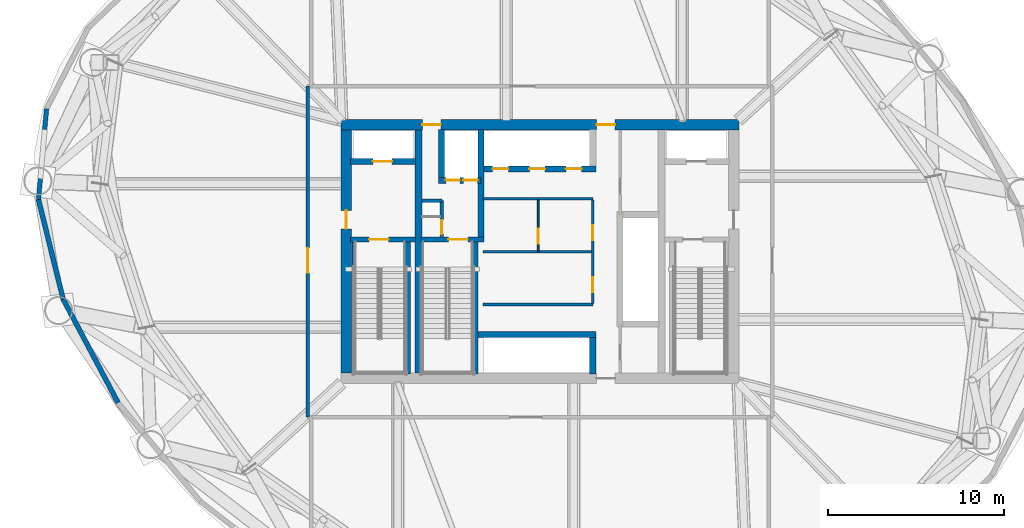
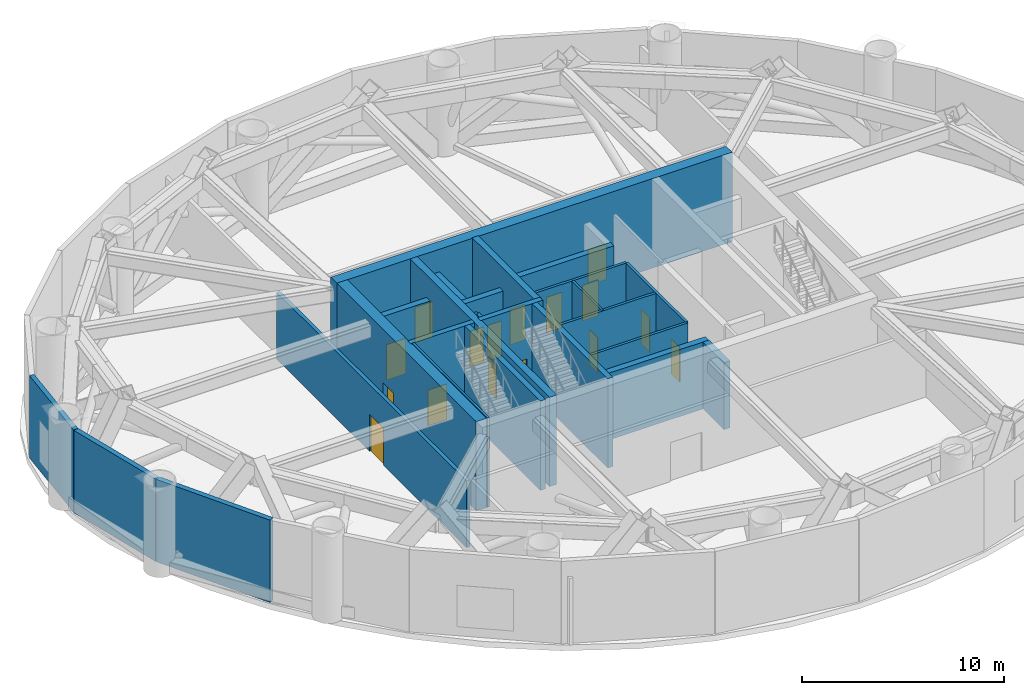
# One storey, part 7 of 13: 26 walls, 16 doors, 16 openings.
"""IFC4 building model written with IfcOpenShell, lengths in metres."""

from ifc_helpers import new_model, si_unit, direction, frame, frame_2d, origin, place, context, subcontext, project, spatial, rectangle, extrude, material, layer, layer_set, type_object, element, fill, save


model = new_model("IFC4")

# Units and contexts
model_context = context("Model", 3, precision=1e-05, world=origin(), true_north=direction((0.0, 1.0)))
body_context = subcontext(model_context, "Body", "Model", "MODEL_VIEW")
ifc_project = project(units=[si_unit("LENGTHUNIT", "METRE"), si_unit("AREAUNIT", "SQUARE_METRE"), si_unit("VOLUMEUNIT", "CUBIC_METRE"), si_unit("PLANEANGLEUNIT", "RADIAN"), si_unit("MASSUNIT", "GRAM", prefix="KILO")], contexts=[model_context])

# Site, building, storey
site_placement = place(None, origin())
site = spatial("IfcSite", under=ifc_project, at=site_placement, CompositionType="ELEMENT")
building_placement = place(site_placement, origin())
building = spatial("IfcBuilding", under=site, at=building_placement, Name="Bramvorn Convention Spire", CompositionType="ELEMENT")
storey_placement = place(building_placement, frame((0.0, 0.0, 97.39990234375)))
storey = spatial("IfcBuildingStorey", under=building, at=storey_placement, Name="L23", CompositionType="ELEMENT", Elevation=97.39990234375)

# Wall, openings, doors
ifc_material_1 = material(Name="Concrete C60/70", Category="concrete")
ifc_layer_1 = layer(ifc_material_1, 0.60009765625)
ifc_layer_set_1 = layer_set([ifc_layer_1], Name="Concrete C60/70 - WL-CORE-600")
wall_type_1 = type_object("IfcWallType", Name="WL-CORE-600", PredefinedType="SHEAR", material=ifc_layer_set_1)
wall_1_placement = place(storey_placement, frame((26.699951171875, 33.199951171875, 0.0), z_axis=(0.0, 0.0, 1.0), x_axis=(1.0, 0.0, 0.0)))
wall_1 = element("IfcWall", 1, at=wall_1_placement, inside=storey, type_object=wall_type_1, Name="L23 North RC core shear wall", PredefinedType="SHEAR", context=body_context, shape_type="SweptSolid", body=[
    extrude(rectangle(XDim=22.60009765625, YDim=0.60009765625, at=frame_2d((11.300048828125, 0.0))), origin(), (0.0, 0.0, 1.0), 5.400146484375),
])
opening_1_placement = place(wall_1_placement, frame((4.6201171875, 0.0, 0.0)))
opening_1 = element("IfcOpeningElement", 2, at=opening_1_placement, cuts=wall_1, Name="Opening DL-105", PredefinedType="OPENING", context=body_context, shape_type="SweptSolid", body=[
    extrude(rectangle(XDim=1.050048828125, YDim=2.14990234375, at=frame_2d((0.52490234375, 1.074951171875))), frame((0.0, 0.31005859375, 0.0), z_axis=(0.0, -1.0, 0.0), x_axis=(1.0, 0.0, 0.0)), (0.0, 0.0, 1.0), 0.6201171875),
])
opening_2_placement = place(wall_1_placement, frame((14.52001953125, 0.0, 0.0)))
opening_2 = element("IfcOpeningElement", 3, at=opening_2_placement, cuts=wall_1, Name="Opening DL-105", PredefinedType="OPENING", context=body_context, shape_type="SweptSolid", body=[
    extrude(rectangle(XDim=1.050048828125, YDim=2.14990234375, at=frame_2d((0.52490234375, 1.074951171875))), frame((0.0, 0.31005859375, 0.0), z_axis=(0.0, -1.0, 0.0), x_axis=(1.0, 0.0, 0.0)), (0.0, 0.0, 1.0), 0.6201171875),
])
ifc_material_2 = material(Name="Smoke-Sealed Fire Lobby Timber-Core Door", Category="wood")
door_type_1 = type_object("IfcDoorType", Name="DR-LOBBY-1050", OperationType="NOTDEFINED", PredefinedType="DOOR", material=ifc_material_2)
door_1_placement = place(opening_1_placement, origin())
door_1 = element("IfcDoor", 4, at=door_1_placement, inside=storey, type_object=door_type_1, Name="L23 Service & Stair ST3 Lobby north corridor door", OperationType="SINGLE_SWING_LEFT", OverallHeight=2.14990234375, OverallWidth=1.050048828125, PredefinedType="DOOR", context=body_context, shape_type="SweptSolid", body=[
    extrude(rectangle(XDim=1.050048828125, YDim=2.14990234375, at=frame_2d((0.52490234375, 1.074951171875))), frame((0.0, 0.02490234375, 0.0), z_axis=(0.0, -1.0, 0.0), x_axis=(1.0, 0.0, 0.0)), (0.0, 0.0, 1.0), 0.050048828125),
])
fill(opening_1, door_1)
door_2_placement = place(opening_2_placement, origin())
door_2 = element("IfcDoor", 5, at=door_2_placement, inside=storey, type_object=door_type_1, Name="L23 North Lift Lobby fire door", OperationType="SINGLE_SWING_LEFT", OverallHeight=2.14990234375, OverallWidth=1.050048828125, PredefinedType="DOOR", context=body_context, shape_type="SweptSolid", body=[
    extrude(rectangle(XDim=1.050048828125, YDim=2.14990234375, at=frame_2d((0.52490234375, 1.074951171875))), frame((0.0, 0.02490234375, 0.0), z_axis=(0.0, -1.0, 0.0), x_axis=(1.0, 0.0, 0.0)), (0.0, 0.0, 1.0), 0.050048828125),
])
fill(opening_2, door_2)

# Wall, opening, door
wall_2_placement = place(storey_placement, frame((27.0, 19.10009765625, 0.0), z_axis=(0.0, 0.0, 1.0), x_axis=(0.0, 1.0, 0.0)))
wall_2 = element("IfcWall", 6, at=wall_2_placement, inside=storey, type_object=wall_type_1, Name="L23 West RC core shear wall", PredefinedType="SHEAR", context=body_context, shape_type="SweptSolid", body=[
    extrude(rectangle(XDim=13.7998046875, YDim=0.60009765625, at=frame_2d((6.89990234375, 0.0))), origin(), (0.0, 0.0, 1.0), 5.400146484375),
])
opening_3_placement = place(wall_2_placement, frame((8.199951171875, 0.0, 0.0)))
opening_3 = element("IfcOpeningElement", 7, at=opening_3_placement, cuts=wall_2, Name="Opening DL-105", PredefinedType="OPENING", context=body_context, shape_type="SweptSolid", body=[
    extrude(rectangle(XDim=1.050048828125, YDim=2.14990234375, at=frame_2d((0.52490234375, 1.074951171875))), frame((0.0, 0.31005859375, 0.0), z_axis=(0.0, -1.0, 0.0), x_axis=(1.0, 0.0, 0.0)), (0.0, 0.0, 1.0), 0.6201171875),
])
door_3_placement = place(opening_3_placement, origin())
door_3 = element("IfcDoor", 8, at=door_3_placement, inside=storey, type_object=door_type_1, Name="L23 West Firefighting Lobby corridor door", OperationType="SINGLE_SWING_RIGHT", OverallHeight=2.14990234375, OverallWidth=1.050048828125, PredefinedType="DOOR", context=body_context, shape_type="SweptSolid", body=[
    extrude(rectangle(XDim=1.050048828125, YDim=2.14990234375, at=frame_2d((0.52490234375, 1.074951171875))), frame((0.0, 0.02490234375, 0.0), z_axis=(0.0, -1.0, 0.0), x_axis=(1.0, 0.0, 0.0)), (0.0, 0.0, 1.0), 0.050048828125),
])
fill(opening_3, door_3)

ifc_material_3 = material(Name="Concrete C50/60", Category="concrete")
ifc_layer_2 = layer(ifc_material_3, 0.35009765625)
ifc_layer_set_2 = layer_set([ifc_layer_2], Name="Concrete C50/60 - WL-CORE-INT-350")
wall_type_2 = type_object("IfcWallType", Name="WL-CORE-INT-350", PredefinedType="SHEAR", material=ifc_layer_set_2)
wall_3_placement = place(storey_placement, frame((27.25, 31.1201171875, 0.0), z_axis=(0.0, 0.0, 1.0), x_axis=(1.0, 0.0, 0.0)))
wall_3 = element("IfcWall", 9, at=wall_3_placement, inside=storey, type_object=wall_type_2, Name="L23 FE1 shaft front wall", PredefinedType="SHEAR", context=body_context, shape_type="SweptSolid", body=[
    extrude(rectangle(XDim=3.669921875, YDim=0.35009765625, at=frame_2d((1.8349609375, 0.0))), origin(), (0.0, 0.0, 1.0), 4.0400390625),
])
opening_4_placement = place(wall_3_placement, frame((1.25, 0.0, 0.0)))
opening_4 = element("IfcOpeningElement", 10, at=opening_4_placement, cuts=wall_3, Name="Opening LD-110", PredefinedType="OPENING", context=body_context, shape_type="SweptSolid", body=[
    extrude(rectangle(XDim=1.10009765625, YDim=2.14990234375, at=frame_2d((0.550048828125, 1.074951171875))), frame((0.0, 0.18505859375, 0.0), z_axis=(0.0, -1.0, 0.0), x_axis=(1.0, 0.0, 0.0)), (0.0, 0.0, 1.0), 0.3701171875),
])
ifc_material_4 = material(Name="Firefighting & Service Lift Sliding Landing Door", Category="steel")
door_type_2 = type_object("IfcDoorType", Name="DR-LIFT-LD-1100", OperationType="NOTDEFINED", PredefinedType="DOOR", material=ifc_material_4)
door_4_placement = place(opening_4_placement, origin())
door_4 = element("IfcDoor", 11, at=door_4_placement, inside=storey, type_object=door_type_2, Name="L23 Lift FE1 Sliding Landing Door", OperationType="SLIDING_TO_LEFT", OverallHeight=2.14990234375, OverallWidth=1.10009765625, PredefinedType="DOOR", context=body_context, shape_type="SweptSolid", body=[
    extrude(rectangle(XDim=1.10009765625, YDim=2.14990234375, at=frame_2d((0.550048828125, 1.074951171875))), frame((0.0, 0.02490234375, 0.0), z_axis=(0.0, -1.0, 0.0), x_axis=(1.0, 0.0, 0.0)), (0.0, 0.0, 1.0), 0.050048828125),
])
fill(opening_4, door_4)

# Wall
wall_4_placement = place(storey_placement, frame((34.639892578125, 26.68994140625, 0.0), z_axis=(0.0, 0.0, 1.0), x_axis=(0.0, 1.0, 0.0)))
element("IfcWall", 12, at=wall_4_placement, inside=storey, type_object=wall_type_2, Name="L23 SV east core shaft wall", PredefinedType="SHEAR", context=body_context, shape_type="SweptSolid", body=[
    extrude(rectangle(XDim=6.260009765625, YDim=0.35009765625, at=frame_2d((3.1298828125, 0.0))), origin(), (0.0, 0.0, 1.0), 5.400146484375),
])

# Wall, openings, doors
wall_5_placement = place(storey_placement, frame((32.22998046875, 30.050048828125, 0.0), z_axis=(0.0, 0.0, 1.0), x_axis=(1.0, 0.0, 0.0)))
wall_5 = element("IfcWall", 13, at=wall_5_placement, inside=storey, type_object=wall_type_2, Name="L23 SV1/SV2 shaft front wall", PredefinedType="SHEAR", context=body_context, shape_type="SweptSolid", body=[
    extrude(rectangle(XDim=2.409912109375, YDim=0.35009765625, at=frame_2d((1.205078125, 0.0))), origin(), (0.0, 0.0, 1.0), 4.0400390625),
])
opening_5_placement = place(wall_5_placement, frame((0.419921875, 0.0, 0.0)))
opening_5 = element("IfcOpeningElement", 14, at=opening_5_placement, cuts=wall_5, Name="Opening LD-080", PredefinedType="OPENING", context=body_context, shape_type="SweptSolid", body=[
    extrude(rectangle(XDim=0.800048828125, YDim=2.14990234375, at=frame_2d((0.39990234375, 1.074951171875))), frame((0.0, 0.18505859375, 0.0), z_axis=(0.0, -1.0, 0.0), x_axis=(1.0, 0.0, 0.0)), (0.0, 0.0, 1.0), 0.3701171875),
])
opening_6_placement = place(wall_5_placement, frame((1.419921875, 0.0, 0.0)))
opening_6 = element("IfcOpeningElement", 15, at=opening_6_placement, cuts=wall_5, Name="Opening LD-080", PredefinedType="OPENING", context=body_context, shape_type="SweptSolid", body=[
    extrude(rectangle(XDim=0.800048828125, YDim=2.14990234375, at=frame_2d((0.39990234375, 1.074951171875))), frame((0.0, 0.18505859375, 0.0), z_axis=(0.0, -1.0, 0.0), x_axis=(1.0, 0.0, 0.0)), (0.0, 0.0, 1.0), 0.3701171875),
])
ifc_material_5 = material(Name="Service Lift Bi-Parting Landing Door", Category="steel")
door_type_3 = type_object("IfcDoorType", Name="DR-LIFT-LD-800", OperationType="NOTDEFINED", PredefinedType="DOOR", material=ifc_material_5)
door_5_placement = place(opening_5_placement, origin())
door_5 = element("IfcDoor", 16, at=door_5_placement, inside=storey, type_object=door_type_3, Name="L23 Lift SV1 Sliding Landing Door", OperationType="SLIDING_TO_LEFT", OverallHeight=2.14990234375, OverallWidth=0.800048828125, PredefinedType="DOOR", context=body_context, shape_type="SweptSolid", body=[
    extrude(rectangle(XDim=0.800048828125, YDim=2.14990234375, at=frame_2d((0.39990234375, 1.074951171875))), frame((0.0, 0.02490234375, 0.0), z_axis=(0.0, -1.0, 0.0), x_axis=(1.0, 0.0, 0.0)), (0.0, 0.0, 1.0), 0.050048828125),
])
fill(opening_5, door_5)
door_6_placement = place(opening_6_placement, origin())
door_6 = element("IfcDoor", 17, at=door_6_placement, inside=storey, type_object=door_type_3, Name="L23 Lift SV2 Sliding Landing Door", OperationType="SLIDING_TO_LEFT", OverallHeight=2.14990234375, OverallWidth=0.800048828125, PredefinedType="DOOR", context=body_context, shape_type="SweptSolid", body=[
    extrude(rectangle(XDim=0.800048828125, YDim=2.14990234375, at=frame_2d((0.39990234375, 1.074951171875))), frame((0.0, 0.02490234375, 0.0), z_axis=(0.0, -1.0, 0.0), x_axis=(1.0, 0.0, 0.0)), (0.0, 0.0, 1.0), 0.050048828125),
])
fill(opening_6, door_6)

# Wall
wall_6_placement = place(storey_placement, frame((32.39990234375, 30.219970703125, 0.0), z_axis=(0.0, 0.0, 1.0), x_axis=(0.0, 1.0, 0.0)))
element("IfcWall", 18, at=wall_6_placement, inside=storey, type_object=wall_type_2, Name="L23 SV1 west hoistway wall", PredefinedType="SHEAR", context=body_context, shape_type="SweptSolid", body=[
    extrude(rectangle(XDim=2.72998046875, YDim=0.35009765625, at=frame_2d((1.364990234375, 0.0))), origin(), (0.0, 0.0, 1.0), 4.0400390625),
])

# Wall, openings, doors
wall_7_placement = place(storey_placement, frame((34.81005859375, 30.699951171875, 0.0), z_axis=(0.0, 0.0, 1.0), x_axis=(1.0, 0.0, 0.0)))
wall_7 = element("IfcWall", 19, at=wall_7_placement, inside=storey, type_object=wall_type_2, Name="L23 Low-rise bank south landing wall", PredefinedType="SHEAR", context=body_context, shape_type="SweptSolid", body=[
    extrude(rectangle(XDim=6.35986328125, YDim=0.35009765625, at=frame_2d((3.179931640625, 0.0))), origin(), (0.0, 0.0, 1.0), 4.0400390625),
])
opening_7_placement = place(wall_7_placement, frame((0.5, 0.0, 0.0)))
opening_7 = element("IfcOpeningElement", 20, at=opening_7_placement, cuts=wall_7, Name="Opening LD-090", PredefinedType="OPENING", context=body_context, shape_type="SweptSolid", body=[
    extrude(rectangle(XDim=0.89990234375, YDim=2.14990234375, at=frame_2d((0.449951171875, 1.074951171875))), frame((0.0, 0.18505859375, 0.0), z_axis=(0.0, -1.0, 0.0), x_axis=(1.0, 0.0, 0.0)), (0.0, 0.0, 1.0), 0.3701171875),
])
opening_8_placement = place(wall_7_placement, frame((2.580078125, 0.0, 0.0)))
opening_8 = element("IfcOpeningElement", 21, at=opening_8_placement, cuts=wall_7, Name="Opening LD-090", PredefinedType="OPENING", context=body_context, shape_type="SweptSolid", body=[
    extrude(rectangle(XDim=0.89990234375, YDim=2.14990234375, at=frame_2d((0.449951171875, 1.074951171875))), frame((0.0, 0.18505859375, 0.0), z_axis=(0.0, -1.0, 0.0), x_axis=(1.0, 0.0, 0.0)), (0.0, 0.0, 1.0), 0.3701171875),
])
opening_9_placement = place(wall_7_placement, frame((4.659912109375, 0.0, 0.0)))
opening_9 = element("IfcOpeningElement", 22, at=opening_9_placement, cuts=wall_7, Name="Opening LD-090", PredefinedType="OPENING", context=body_context, shape_type="SweptSolid", body=[
    extrude(rectangle(XDim=0.89990234375, YDim=2.14990234375, at=frame_2d((0.449951171875, 1.074951171875))), frame((0.0, 0.18505859375, 0.0), z_axis=(0.0, -1.0, 0.0), x_axis=(1.0, 0.0, 0.0)), (0.0, 0.0, 1.0), 0.3701171875),
])
ifc_material_6 = material(Name="Bi-Parting Fire-Rated Lift Landing Door", Category="steel")
door_type_4 = type_object("IfcDoorType", Name="DR-LIFT-LD-900", OperationType="NOTDEFINED", PredefinedType="DOOR", material=ifc_material_6)
door_7_placement = place(opening_7_placement, origin())
door_7 = element("IfcDoor", 23, at=door_7_placement, inside=storey, type_object=door_type_4, Name="L23 Lift PL1 Sliding Landing Door", OperationType="SLIDING_TO_LEFT", OverallHeight=2.14990234375, OverallWidth=0.89990234375, PredefinedType="DOOR", context=body_context, shape_type="SweptSolid", body=[
    extrude(rectangle(XDim=0.89990234375, YDim=2.14990234375, at=frame_2d((0.449951171875, 1.074951171875))), frame((0.0, 0.02490234375, 0.0), z_axis=(0.0, -1.0, 0.0), x_axis=(1.0, 0.0, 0.0)), (0.0, 0.0, 1.0), 0.050048828125),
])
fill(opening_7, door_7)
door_8_placement = place(opening_8_placement, origin())
door_8 = element("IfcDoor", 24, at=door_8_placement, inside=storey, type_object=door_type_4, Name="L23 Lift PL2 Sliding Landing Door", OperationType="SLIDING_TO_LEFT", OverallHeight=2.14990234375, OverallWidth=0.89990234375, PredefinedType="DOOR", context=body_context, shape_type="SweptSolid", body=[
    extrude(rectangle(XDim=0.89990234375, YDim=2.14990234375, at=frame_2d((0.449951171875, 1.074951171875))), frame((0.0, 0.02490234375, 0.0), z_axis=(0.0, -1.0, 0.0), x_axis=(1.0, 0.0, 0.0)), (0.0, 0.0, 1.0), 0.050048828125),
])
fill(opening_8, door_8)
door_9_placement = place(opening_9_placement, origin())
door_9 = element("IfcDoor", 25, at=door_9_placement, inside=storey, type_object=door_type_4, Name="L23 Lift PL3 Sliding Landing Door", OperationType="SLIDING_TO_LEFT", OverallHeight=2.14990234375, OverallWidth=0.89990234375, PredefinedType="DOOR", context=body_context, shape_type="SweptSolid", body=[
    extrude(rectangle(XDim=0.89990234375, YDim=2.14990234375, at=frame_2d((0.449951171875, 1.074951171875))), frame((0.0, 0.02490234375, 0.0), z_axis=(0.0, -1.0, 0.0), x_axis=(1.0, 0.0, 0.0)), (0.0, 0.0, 1.0), 0.050048828125),
])
fill(opening_9, door_9)

# Walls
wall_8_placement = place(storey_placement, frame((34.489990234375, 21.300048828125, 0.0), z_axis=(0.0, 0.0, 1.0), x_axis=(1.0, 0.0, 0.0)))
element("IfcWall", 26, at=wall_8_placement, inside=storey, type_object=wall_type_2, Name="L23 Mid-rise bank north landing wall", PredefinedType="SHEAR", context=body_context, shape_type="SweptSolid", body=[
    extrude(rectangle(XDim=6.679931640625, YDim=0.35009765625, at=frame_2d((3.33984375, 0.0))), origin(), (0.0, 0.0, 1.0), 4.0400390625),
])
wall_9_placement = place(storey_placement, frame((41.0, 19.050048828125, 0.0), z_axis=(0.0, 0.0, 1.0), x_axis=(0.0, 1.0, 0.0)))
element("IfcWall", 27, at=wall_9_placement, inside=storey, type_object=wall_type_2, Name="L23 Mid-rise bank east cheek wall", PredefinedType="SHEAR", context=body_context, shape_type="SweptSolid", body=[
    extrude(rectangle(XDim=2.079833984375, YDim=0.35009765625, at=frame_2d((1.0400390625, 0.0))), origin(), (0.0, 0.0, 1.0), 4.0400390625),
])
ifc_layer_3 = layer(ifc_material_1, 0.39990234375)
ifc_layer_set_3 = layer_set([ifc_layer_3], Name="Concrete C60/70 - WL-CORE-INT-400")
wall_type_3 = type_object("IfcWallType", Name="WL-CORE-INT-400", PredefinedType="SHEAR", material=ifc_layer_set_3)
wall_10_placement = place(storey_placement, frame((31.10009765625, 19.10009765625, 0.0), z_axis=(0.0, 0.0, 1.0), x_axis=(0.0, 1.0, 0.0)))
element("IfcWall", 28, at=wall_10_placement, inside=storey, type_object=wall_type_3, Name="L23 West internal core shear web", PredefinedType="SHEAR", context=body_context, shape_type="SweptSolid", body=[
    extrude(rectangle(XDim=13.7998046875, YDim=0.39990234375, at=frame_2d((6.89990234375, 0.0))), origin(), (0.0, 0.0, 1.0), 5.400146484375),
])
ifc_material_7 = material(Name="Precast Concrete C40/50 with Bronze Terracotta Rainscreen", Category="masonry")
ifc_layer_4 = layer(ifc_material_7, 0.300048828125)
ifc_layer_set_4 = layer_set([ifc_layer_4], Name="Precast Concrete C40/50 with Bronze Terracotta Rainscreen - WL-EXT-BRONZE-300")
wall_type_4 = type_object("IfcWallType", Name="WL-EXT-BRONZE-300", PredefinedType="SOLIDWALL", material=ifc_layer_set_4)
wall_11_placement = place(storey_placement, frame((10.912109375, 23.31005859375, 0.0), z_axis=(0.0, 0.0, 1.0), x_axis=(-0.240088145805, 0.970751091807, 0.0)))
element("IfcWall", 29, at=wall_11_placement, inside=storey, type_object=wall_type_4, Name="L23 expressed bronze Gothic lancet pier wall 14", PredefinedType="SOLIDWALL", context=body_context, shape_type="SweptSolid", body=[
    extrude(rectangle(XDim=5.82275390625, YDim=0.280029296875, at=frame_2d((2.911376953125, 0.0))), origin(), (0.0, 0.0, 1.0), 4.97998046875),
])
wall_12_placement = place(storey_placement, frame((14.034912109375, 17.421630859375, 0.0), z_axis=(0.0, 0.0, 1.0), x_axis=(-0.468520389659, 0.883452683777, 0.0)))
element("IfcWall", 30, at=wall_12_placement, inside=storey, type_object=wall_type_4, Name="L23 expressed bronze Gothic lancet pier wall 15", PredefinedType="SOLIDWALL", context=body_context, shape_type="SweptSolid", body=[
    extrude(rectangle(XDim=6.665283203125, YDim=0.280029296875, at=frame_2d((3.33251953125, 0.0))), origin(), (0.0, 0.0, 1.0), 4.97998046875),
])
ifc_material_8 = material(Name="Precast Concrete C40/50 Insulated Terrace Wall", Category="concrete")
ifc_layer_5 = layer(ifc_material_8, 0.280029296875)
ifc_layer_set_5 = layer_set([ifc_layer_5], Name="Precast Concrete C40/50 Insulated Terrace Wall - WL-EXT-TERR-280")
wall_type_5 = type_object("IfcWallType", Name="WL-EXT-TERR-280", PredefinedType="SOLIDWALL", material=ifc_layer_set_5)
wall_13_placement = place(storey_placement, frame((9.51416015625, 28.96240234375, 0.0), z_axis=(0.0, 0.0, 1.0), x_axis=(0.088374381546, 0.996087329849, 0.0)))
element("IfcWall", 31, at=wall_13_placement, inside=storey, type_object=wall_type_5, Name="L23 plant floor acoustic louvre breast wall 13", PredefinedType="SOLIDWALL", context=body_context, shape_type="SweptSolid", body=[
    extrude(rectangle(XDim=5.17431640625, YDim=0.260009765625, at=frame_2d((2.587158203125, 0.0))), origin(), (0.0, 0.0, 1.0), 4.97998046875),
])

# Wall, opening, door
ifc_material_9 = material(Name="Lightweight En-Suite & Wet-Wall Partition", Category="gypsum")
ifc_layer_6 = layer(ifc_material_9, 0.110107421875)
ifc_layer_set_6 = layer_set([ifc_layer_6], Name="Lightweight En-Suite & Wet-Wall Partition - WL-PART-110")
wall_type_6 = type_object("IfcWallType", Name="WL-PART-110", PredefinedType="PARTITIONING", material=ifc_layer_set_6)
wall_14_placement = place(storey_placement, frame((37.89990234375, 26.0, 0.0), z_axis=(0.0, 0.0, 1.0), x_axis=(0.0, 1.0, 0.0)))
wall_14 = element("IfcWall", 32, at=wall_14_placement, inside=storey, type_object=wall_type_6, Name="L23 Core restroom subwall", PredefinedType="PARTITIONING", context=body_context, shape_type="SweptSolid", body=[
    extrude(rectangle(XDim=2.949951171875, YDim=0.110107421875, at=frame_2d((1.47509765625, 0.0))), origin(), (0.0, 0.0, 1.0), 4.0400390625),
])
opening_10_placement = place(wall_14_placement, frame((0.449951171875, 0.0, 0.0)))
opening_10 = element("IfcOpeningElement", 33, at=opening_10_placement, cuts=wall_14, Name="Opening DC-085", PredefinedType="OPENING", context=body_context, shape_type="SweptSolid", body=[
    extrude(rectangle(XDim=0.85009765625, YDim=2.10009765625, at=frame_2d((0.425048828125, 1.050048828125))), frame((0.0, 0.06494140625, 0.0), z_axis=(0.0, -1.0, 0.0), x_axis=(1.0, 0.0, 0.0)), (0.0, 0.0, 1.0), 0.130126953125),
])
ifc_material_10 = material(Name="Fire-Rated Core Washroom & IDF Door", Category="wood")
door_type_5 = type_object("IfcDoorType", Name="DR-CORE-850", OperationType="NOTDEFINED", PredefinedType="DOOR", material=ifc_material_10)
door_10_placement = place(opening_10_placement, origin())
door_10 = element("IfcDoor", 34, at=door_10_placement, inside=storey, type_object=door_type_5, Name="L23 Core telecom store door", OperationType="SINGLE_SWING_LEFT", OverallHeight=2.10009765625, OverallWidth=0.85009765625, PredefinedType="DOOR", context=body_context, shape_type="SweptSolid", body=[
    extrude(rectangle(XDim=0.85009765625, YDim=2.10009765625, at=frame_2d((0.425048828125, 1.050048828125))), frame((0.0, 0.02490234375, 0.0), z_axis=(0.0, -1.0, 0.0), x_axis=(1.0, 0.0, 0.0)), (0.0, 0.0, 1.0), 0.050048828125),
])
fill(opening_10, door_10)

# Walls
ifc_material_11 = material(Name="Acoustic Metal-Stud Tenant/Corridor Partition", Category="gypsum")
ifc_layer_7 = layer(ifc_material_11, 0.14990234375)
ifc_layer_set_7 = layer_set([ifc_layer_7], Name="Acoustic Metal-Stud Tenant/Corridor Partition - WL-PART-150")
wall_type_7 = type_object("IfcWallType", Name="WL-PART-150", PredefinedType="PARTITIONING", material=ifc_layer_set_7)
for number, where, z_axis, x_axis, name in (
    (35, (34.75, 29.0, 0.0), (0.0, 0.0, 1.0), (1.0, 0.0, 0.0), "L23 Low-rise lift vestibule south wall"),
    (36, (34.75, 23.0, 0.0), (0.0, 0.0, 1.0), (1.0, 0.0, 0.0), "L23 Mid-rise lift vestibule north wall"),
):
    element("IfcWall", number, at=place(storey_placement, frame(where, z_axis=z_axis, x_axis=x_axis)), inside=storey, type_object=wall_type_7, Name=name, PredefinedType="PARTITIONING", context=body_context, shape_type="SweptSolid", body=[
        extrude(rectangle(XDim=6.25, YDim=0.14990234375, at=frame_2d((3.125, 0.0))), origin(), (0.0, 0.0, 1.0), 4.0400390625),
    ])

# Wall, openings, doors
wall_15_placement = place(storey_placement, frame((41.0, 23.050048828125, 0.0), z_axis=(0.0, 0.0, 1.0), x_axis=(0.0, 1.0, 0.0)))
wall_15 = element("IfcWall", 37, at=wall_15_placement, inside=storey, type_object=wall_type_7, Name="L23 Core room east wall", PredefinedType="PARTITIONING", context=body_context, shape_type="SweptSolid", body=[
    extrude(rectangle(XDim=5.89990234375, YDim=0.14990234375, at=frame_2d((2.949951171875, 0.0))), origin(), (0.0, 0.0, 1.0), 4.0400390625),
])
opening_11_placement = place(wall_15_placement, frame((0.64990234375, 0.0, 0.0)))
opening_11 = element("IfcOpeningElement", 38, at=opening_11_placement, cuts=wall_15, Name="Opening DC-085", PredefinedType="OPENING", context=body_context, shape_type="SweptSolid", body=[
    extrude(rectangle(XDim=0.85009765625, YDim=2.10009765625, at=frame_2d((0.425048828125, 1.050048828125))), frame((0.0, 0.0849609375, 0.0), z_axis=(0.0, -1.0, 0.0), x_axis=(1.0, 0.0, 0.0)), (0.0, 0.0, 1.0), 0.169921875),
])
opening_12_placement = place(wall_15_placement, frame((3.60009765625, 0.0, 0.0)))
opening_12 = element("IfcOpeningElement", 39, at=opening_12_placement, cuts=wall_15, Name="Opening DC-085", PredefinedType="OPENING", context=body_context, shape_type="SweptSolid", body=[
    extrude(rectangle(XDim=0.85009765625, YDim=2.10009765625, at=frame_2d((0.425048828125, 1.050048828125))), frame((0.0, 0.0849609375, 0.0), z_axis=(0.0, -1.0, 0.0), x_axis=(1.0, 0.0, 0.0)), (0.0, 0.0, 1.0), 0.169921875),
])
door_11_placement = place(opening_11_placement, origin())
door_11 = element("IfcDoor", 40, at=door_11_placement, inside=storey, type_object=door_type_5, Name="L23 Core room 1 door", OperationType="SINGLE_SWING_LEFT", OverallHeight=2.10009765625, OverallWidth=0.85009765625, PredefinedType="DOOR", context=body_context, shape_type="SweptSolid", body=[
    extrude(rectangle(XDim=0.85009765625, YDim=2.10009765625, at=frame_2d((0.425048828125, 1.050048828125))), frame((0.0, 0.02490234375, 0.0), z_axis=(0.0, -1.0, 0.0), x_axis=(1.0, 0.0, 0.0)), (0.0, 0.0, 1.0), 0.050048828125),
])
fill(opening_11, door_11)
door_12_placement = place(opening_12_placement, origin())
door_12 = element("IfcDoor", 41, at=door_12_placement, inside=storey, type_object=door_type_5, Name="L23 Core room 2 door", OperationType="SINGLE_SWING_LEFT", OverallHeight=2.10009765625, OverallWidth=0.85009765625, PredefinedType="DOOR", context=body_context, shape_type="SweptSolid", body=[
    extrude(rectangle(XDim=0.85009765625, YDim=2.10009765625, at=frame_2d((0.425048828125, 1.050048828125))), frame((0.0, 0.02490234375, 0.0), z_axis=(0.0, -1.0, 0.0), x_axis=(1.0, 0.0, 0.0)), (0.0, 0.0, 1.0), 0.050048828125),
])
fill(opening_12, door_12)

# Wall
wall_16_placement = place(storey_placement, frame((34.75, 26.0, 0.0), z_axis=(0.0, 0.0, 1.0), x_axis=(1.0, 0.0, 0.0)))
element("IfcWall", 42, at=wall_16_placement, inside=storey, type_object=wall_type_7, Name="L23 Core room divider", PredefinedType="PARTITIONING", context=body_context, shape_type="SweptSolid", body=[
    extrude(rectangle(XDim=6.25, YDim=0.14990234375, at=frame_2d((3.125, 0.0))), origin(), (0.0, 0.0, 1.0), 4.0400390625),
])

# Wall, opening, door
ifc_material_12 = material(Name="Gypsum Shaftwall & Rockwool Core Partition", Category="gypsum")
ifc_layer_8 = layer(ifc_material_12, 0.199951171875)
ifc_layer_set_8 = layer_set([ifc_layer_8], Name="Gypsum Shaftwall & Rockwool Core Partition - WL-PART-200-FR")
wall_type_8 = type_object("IfcWallType", Name="WL-PART-200-FR", PredefinedType="PARTITIONING", material=ifc_layer_set_8)
wall_17_placement = place(storey_placement, frame((32.419921875, 26.860107421875, 0.0), z_axis=(0.0, 0.0, 1.0), x_axis=(0.0, 1.0, 0.0)))
wall_17 = element("IfcWall", 43, at=wall_17_placement, inside=storey, type_object=wall_type_8, Name="L23 Telecom riser east wall", PredefinedType="PARTITIONING", context=body_context, shape_type="SweptSolid", body=[
    extrude(rectangle(XDim=2.039794921875, YDim=0.199951171875, at=frame_2d((1.02001953125, 0.0))), origin(), (0.0, 0.0, 1.0), 4.0400390625),
])
opening_13_placement = place(wall_17_placement, frame((0.139892578125, 0.0, 0.0)))
opening_13 = element("IfcOpeningElement", 44, at=opening_13_placement, cuts=wall_17, Name="Opening DR-080", PredefinedType="OPENING", context=body_context, shape_type="SweptSolid", body=[
    extrude(rectangle(XDim=0.800048828125, YDim=2.050048828125, at=frame_2d((0.39990234375, 1.02490234375))), frame((0.0, 0.10986328125, 0.0), z_axis=(0.0, -1.0, 0.0), x_axis=(1.0, 0.0, 0.0)), (0.0, 0.0, 1.0), 0.219970703125),
])
ifc_material_13 = material(Name="Flush Steel Riser Access Door", Category="steel")
door_type_6 = type_object("IfcDoorType", Name="DR-RISER-800", OperationType="NOTDEFINED", PredefinedType="DOOR", material=ifc_material_13)
door_13_placement = place(opening_13_placement, origin())
door_13 = element("IfcDoor", 45, at=door_13_placement, inside=storey, type_object=door_type_6, Name="L23 Telecom riser access door", OperationType="SINGLE_SWING_RIGHT", OverallHeight=2.050048828125, OverallWidth=0.800048828125, PredefinedType="DOOR", context=body_context, shape_type="SweptSolid", body=[
    extrude(rectangle(XDim=0.800048828125, YDim=2.050048828125, at=frame_2d((0.39990234375, 1.02490234375))), frame((0.0, 0.02490234375, 0.0), z_axis=(0.0, -1.0, 0.0), x_axis=(1.0, 0.0, 0.0)), (0.0, 0.0, 1.0), 0.050048828125),
])
fill(opening_13, door_13)

# Wall
wall_18_placement = place(storey_placement, frame((31.300048828125, 28.89990234375, 0.0), z_axis=(0.0, 0.0, 1.0), x_axis=(1.0, 0.0, 0.0)))
element("IfcWall", 46, at=wall_18_placement, inside=storey, type_object=wall_type_8, Name="L23 Telecom riser north wall", PredefinedType="PARTITIONING", context=body_context, shape_type="SweptSolid", body=[
    extrude(rectangle(XDim=1.119873046875, YDim=0.199951171875, at=frame_2d((0.56005859375, 0.0))), origin(), (0.0, 0.0, 1.0), 4.0400390625),
])

# Wall, opening, door
wall_19_placement = place(storey_placement, frame((24.800048828125, 16.60009765625, 0.0), z_axis=(0.0, 0.0, 1.0), x_axis=(0.0, 1.0, 0.0)))
wall_19 = element("IfcWall", 47, at=wall_19_placement, inside=storey, type_object=wall_type_8, Name="L23 Plant corridor west wall", PredefinedType="PARTITIONING", context=body_context, shape_type="SweptSolid", body=[
    extrude(rectangle(XDim=18.7998046875, YDim=0.199951171875, at=frame_2d((9.39990234375, 0.0))), origin(), (0.0, 0.0, 1.0), 4.0400390625),
])
opening_14_placement = place(wall_19_placement, frame((8.199951171875, 0.0, 0.0)))
opening_14 = element("IfcOpeningElement", 48, at=opening_14_placement, cuts=wall_19, Name="Opening DP-140", PredefinedType="OPENING", context=body_context, shape_type="SweptSolid", body=[
    extrude(rectangle(XDim=1.39990234375, YDim=2.25, at=frame_2d((0.699951171875, 1.125))), frame((0.0, 0.10986328125, 0.0), z_axis=(0.0, -1.0, 0.0), x_axis=(1.0, 0.0, 0.0)), (0.0, 0.0, 1.0), 0.219970703125),
])
ifc_material_14 = material(Name="Heavy-Duty Acoustic Louvre Plant Room Door", Category="steel")
door_type_7 = type_object("IfcDoorType", Name="DR-PLANT-1400", OperationType="NOTDEFINED", PredefinedType="DOOR", material=ifc_material_14)
door_14_placement = place(opening_14_placement, origin())
door_14 = element("IfcDoor", 49, at=door_14_placement, inside=storey, type_object=door_type_7, Name="L23 Hydronic Booster & Heat-Exchanger Plant door", OperationType="DOUBLE_DOOR_SINGLE_SWING", OverallHeight=2.25, OverallWidth=1.39990234375, PredefinedType="DOOR", context=body_context, shape_type="SweptSolid", body=[
    extrude(rectangle(XDim=1.39990234375, YDim=2.25, at=frame_2d((0.699951171875, 1.125))), frame((0.0, 0.02490234375, 0.0), z_axis=(0.0, -1.0, 0.0), x_axis=(1.0, 0.0, 0.0)), (0.0, 0.0, 1.0), 0.050048828125),
])
fill(opening_14, door_14)

ifc_layer_9 = layer(ifc_material_3, 0.300048828125)
ifc_layer_set_9 = layer_set([ifc_layer_9], Name="Concrete C50/60 - WL-POD-STAIR-300")
wall_type_9 = type_object("IfcWallType", Name="WL-POD-STAIR-300", PredefinedType="SHEAR", material=ifc_layer_set_9)
wall_20_placement = place(storey_placement, frame((27.25, 26.68994140625, 0.0), z_axis=(0.0, 0.0, 1.0), x_axis=(1.0, 0.0, 0.0)))
wall_20 = element("IfcWall", 50, at=wall_20_placement, inside=storey, type_object=wall_type_9, Name="L23 ST1 north fire wall", PredefinedType="SHEAR", context=body_context, shape_type="SweptSolid", body=[
    extrude(rectangle(XDim=3.669921875, YDim=0.300048828125, at=frame_2d((1.8349609375, 0.0))), origin(), (0.0, 0.0, 1.0), 5.400146484375),
])
opening_15_placement = place(wall_20_placement, frame((1.050048828125, 0.0, 0.0)))
opening_15 = element("IfcOpeningElement", 51, at=opening_15_placement, cuts=wall_20, Name="Opening DS-110", PredefinedType="OPENING", context=body_context, shape_type="SweptSolid", body=[
    extrude(rectangle(XDim=1.10009765625, YDim=2.14990234375, at=frame_2d((0.550048828125, 1.074951171875))), frame((0.0, 0.159912109375, 0.0), z_axis=(0.0, -1.0, 0.0), x_axis=(1.0, 0.0, 0.0)), (0.0, 0.0, 1.0), 0.320068359375),
])
ifc_material_15 = material(Name="Fire-Rated Hollow Steel Stairwell Door", Category="steel")
door_type_8 = type_object("IfcDoorType", Name="DR-STAIR-1100", OperationType="NOTDEFINED", PredefinedType="DOOR", material=ifc_material_15)
door_15_placement = place(opening_15_placement, origin())
door_15 = element("IfcDoor", 52, at=door_15_placement, inside=storey, type_object=door_type_8, Name="L23 Stair ST1 fire door", OperationType="SINGLE_SWING_LEFT", OverallHeight=2.14990234375, OverallWidth=1.10009765625, PredefinedType="DOOR", context=body_context, shape_type="SweptSolid", body=[
    extrude(rectangle(XDim=1.10009765625, YDim=2.14990234375, at=frame_2d((0.550048828125, 1.074951171875))), frame((0.0, 0.02490234375, 0.0), z_axis=(0.0, -1.0, 0.0), x_axis=(1.0, 0.0, 0.0)), (0.0, 0.0, 1.0), 0.050048828125),
])
fill(opening_15, door_15)

# Walls
for number, where, z_axis, x_axis, name in (
    (53, (30.489990234375, 19.050048828125, 0.0), (0.0, 0.0, 1.0), (0.0, 1.0, 0.0), "L23 ST1 east bearing wall"),
    (54, (34.340087890625, 19.050048828125, 0.0), (0.0, 0.0, 1.0), (0.0, 1.0, 0.0), "L23 ST3 east bearing wall"),
):
    element("IfcWall", number, at=place(storey_placement, frame(where, z_axis=z_axis, x_axis=x_axis)), inside=storey, type_object=wall_type_9, Name=name, PredefinedType="SHEAR", context=body_context, shape_type="SweptSolid", body=[
        extrude(rectangle(XDim=7.5, YDim=0.300048828125, at=frame_2d((3.75, 0.0))), origin(), (0.0, 0.0, 1.0), 5.400146484375),
    ])

# Wall, opening, door
wall_21_placement = place(storey_placement, frame((31.25, 26.68994140625, 0.0), z_axis=(0.0, 0.0, 1.0), x_axis=(1.0, 0.0, 0.0)))
wall_21 = element("IfcWall", 55, at=wall_21_placement, inside=storey, type_object=wall_type_9, Name="L23 ST3 north lobby wall", PredefinedType="SHEAR", context=body_context, shape_type="SweptSolid", body=[
    extrude(rectangle(XDim=3.56005859375, YDim=0.300048828125, at=frame_2d((1.780029296875, 0.0))), origin(), (0.0, 0.0, 1.0), 5.400146484375),
])
opening_16_placement = place(wall_21_placement, frame((1.550048828125, 0.0, 0.0)))
opening_16 = element("IfcOpeningElement", 56, at=opening_16_placement, cuts=wall_21, Name="Opening DS-110", PredefinedType="OPENING", context=body_context, shape_type="SweptSolid", body=[
    extrude(rectangle(XDim=1.10009765625, YDim=2.14990234375, at=frame_2d((0.550048828125, 1.074951171875))), frame((0.0, 0.159912109375, 0.0), z_axis=(0.0, -1.0, 0.0), x_axis=(1.0, 0.0, 0.0)), (0.0, 0.0, 1.0), 0.320068359375),
])
door_16_placement = place(opening_16_placement, origin())
door_16 = element("IfcDoor", 57, at=door_16_placement, inside=storey, type_object=door_type_8, Name="L23 Stair ST3 fire door", OperationType="SINGLE_SWING_LEFT", OverallHeight=2.14990234375, OverallWidth=1.10009765625, PredefinedType="DOOR", context=body_context, shape_type="SweptSolid", body=[
    extrude(rectangle(XDim=1.10009765625, YDim=2.14990234375, at=frame_2d((0.550048828125, 1.074951171875))), frame((0.0, 0.02490234375, 0.0), z_axis=(0.0, -1.0, 0.0), x_axis=(1.0, 0.0, 0.0)), (0.0, 0.0, 1.0), 0.050048828125),
])
fill(opening_16, door_16)

# Wall
ifc_layer_10 = layer(ifc_material_3, 0.1201171875)
ifc_layer_set_10 = layer_set([ifc_layer_10], Name="Concrete C50/60 - WL-STAIR-RC-120")
wall_type_10 = type_object("IfcWallType", Name="WL-STAIR-RC-120", PredefinedType="SHEAR", material=ifc_layer_set_10)
wall_22_placement = place(storey_placement, frame((27.39501953125, 19.10009765625, 0.0), z_axis=(0.0, 0.0, 1.0), x_axis=(0.0, 1.0, 0.0)))
element("IfcWall", 58, at=wall_22_placement, inside=storey, type_object=wall_type_10, Name="L23 ST1 west bearing shear wall", PredefinedType="SHEAR", context=body_context, shape_type="SweptSolid", body=[
    extrude(rectangle(XDim=7.449951171875, YDim=0.1201171875, at=frame_2d((3.72509765625, 0.0))), origin(), (0.0, 0.0, 1.0), 5.400146484375),
])

save(model, "model.ifc")
